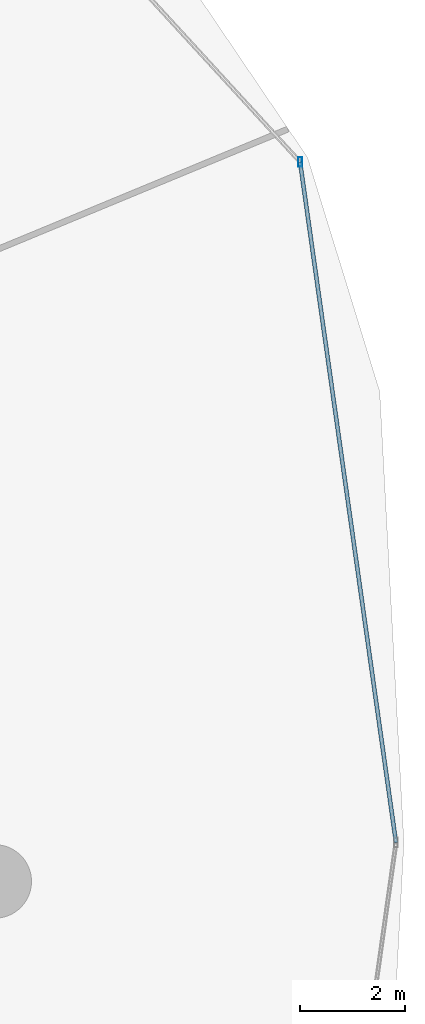
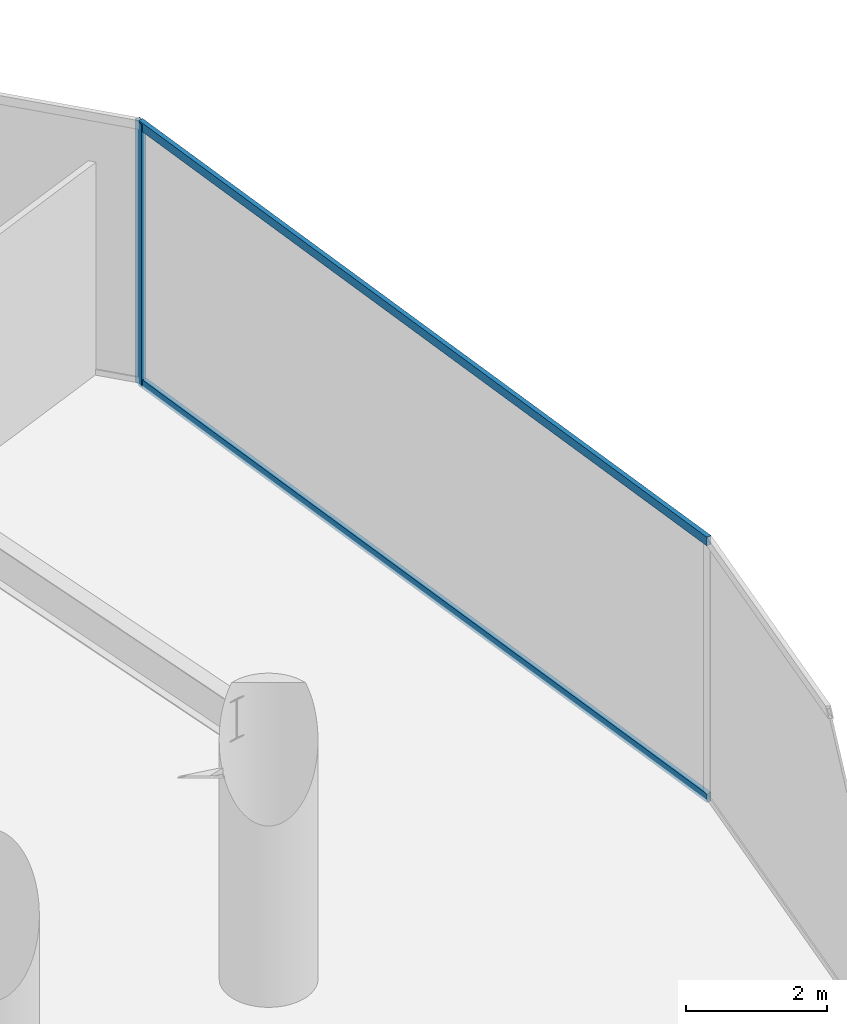
# One storey, part 19 of 26: 3 members, 1 element without a shape of its own.
"""IFC4 building model written with IfcOpenShell, lengths in metres."""

from ifc_helpers import new_model, si_unit, direction, frame, origin, origin_2d, place, context, subcontext, project, spatial, hollow_rectangle, extrude, material, material_profile, profile_set, type_object, element, aggregate, save


model = new_model("IFC4")

# Units and contexts
model_context = context("Model", 3, precision=1e-05, world=origin(), true_north=direction((0.0, 1.0)))
body_context = subcontext(model_context, "Body", "Model", "MODEL_VIEW")
ifc_project = project(units=[si_unit("LENGTHUNIT", "METRE"), si_unit("AREAUNIT", "SQUARE_METRE"), si_unit("VOLUMEUNIT", "CUBIC_METRE"), si_unit("PLANEANGLEUNIT", "RADIAN"), si_unit("MASSUNIT", "GRAM", prefix="KILO")], contexts=[model_context])

# Site, building, storey
site_placement = place(None, origin())
site = spatial("IfcSite", under=ifc_project, at=site_placement, CompositionType="ELEMENT")
building_placement = place(site_placement, origin())
building = spatial("IfcBuilding", under=site, at=building_placement, Name="Vorneva Point Tower", CompositionType="ELEMENT")
storey_placement = place(building_placement, frame((0.0, 0.0, 14.39990234375)))
storey = spatial("IfcBuildingStorey", under=building, at=storey_placement, Name="L03", CompositionType="ELEMENT", Elevation=14.39990234375)

# Curtain wall, members
ifc_material = material(Name="Pale anodised aluminium", Category="aluminium")
curtain_wall_type = type_object("IfcCurtainWallType", Name="CW-POD-SYS", PredefinedType="NOTDEFINED", material=ifc_material)
curtain_wall_placement = place(storey_placement, origin())
curtain_wall = element("IfcCurtainWall", 1, at=curtain_wall_placement, inside=storey, type_object=curtain_wall_type, Name="L03 Unitised Curtain Wall CW-L03-R01", PredefinedType="NOTDEFINED")
ifc_material_profile_1 = material_profile(ifc_material, hollow_rectangle(XDim=0.074951171875, YDim=0.179931640625, WallThickness=0.00390625, at=origin_2d()), Name="AL-MUL 180x75x4")
ifc_profile_set_1 = profile_set([ifc_material_profile_1], Name="Pale anodised aluminium")
member_type_1 = type_object("IfcMemberType", Name="CW-MUL-180", PredefinedType="MULLION", material=ifc_profile_set_1)
member_1_placement = place(storey_placement, frame((70.990234375, 38.9462890625, -0.039794921875), z_axis=(0.0, 0.0, 1.0), x_axis=(1.0, 0.0, 0.0)))
member_1 = element("IfcMember", 2, at=member_1_placement, type_object=member_type_1, Name="CW-L03-R01 Mullion 03", PredefinedType="MULLION", context=body_context, shape_type="SweptSolid", body=[
    extrude(hollow_rectangle(XDim=0.074951171875, YDim=0.179931640625, WallThickness=0.00390625, at=origin_2d()), origin(), (0.0, 0.0, 1.0), 4.5498046875),
])
ifc_material_profile_2 = material_profile(ifc_material, hollow_rectangle(XDim=0.074951171875, YDim=0.14990234375, WallThickness=0.00390625, at=origin_2d()), Name="AL-TRN 150x75x4")
ifc_profile_set_2 = profile_set([ifc_material_profile_2], Name="Pale anodised aluminium")
member_type_2 = type_object("IfcMemberType", Name="CW-TRN-150", PredefinedType="USERDEFINED", material=ifc_profile_set_2)
member_2_placement = place(storey_placement, frame((72.814453125, 26.0, 0.02001953125), z_axis=(-0.139528352326, 0.990218076434, 0.0), x_axis=(-0.990218076434, -0.139528352326, 0.0)))
member_2 = element("IfcMember", 3, at=member_2_placement, type_object=member_type_2, Name="CW-L03-R01 Transom 02.1", ObjectType="TRANSOM", PredefinedType="USERDEFINED", context=body_context, shape_type="SweptSolid", body=[
    extrude(hollow_rectangle(XDim=0.074951171875, YDim=0.14990234375, WallThickness=0.00390625, at=origin_2d()), origin(), (0.0, 0.0, 1.0), 13.07421875),
])
member_3_placement = place(storey_placement, frame((72.814453125, 26.0, 4.460205078125), z_axis=(-0.139528352326, 0.990218076434, 0.0), x_axis=(-0.990218076434, -0.139528352326, 0.0)))
member_3 = element("IfcMember", 4, at=member_3_placement, type_object=member_type_2, Name="CW-L03-R01 Transom 02.2", ObjectType="TRANSOM", PredefinedType="USERDEFINED", context=body_context, shape_type="SweptSolid", body=[
    extrude(hollow_rectangle(XDim=0.074951171875, YDim=0.14990234375, WallThickness=0.00390625, at=origin_2d()), origin(), (0.0, 0.0, 1.0), 13.07421875),
])
aggregate(curtain_wall, [member_1, member_2, member_3])

save(model, "model.ifc")
